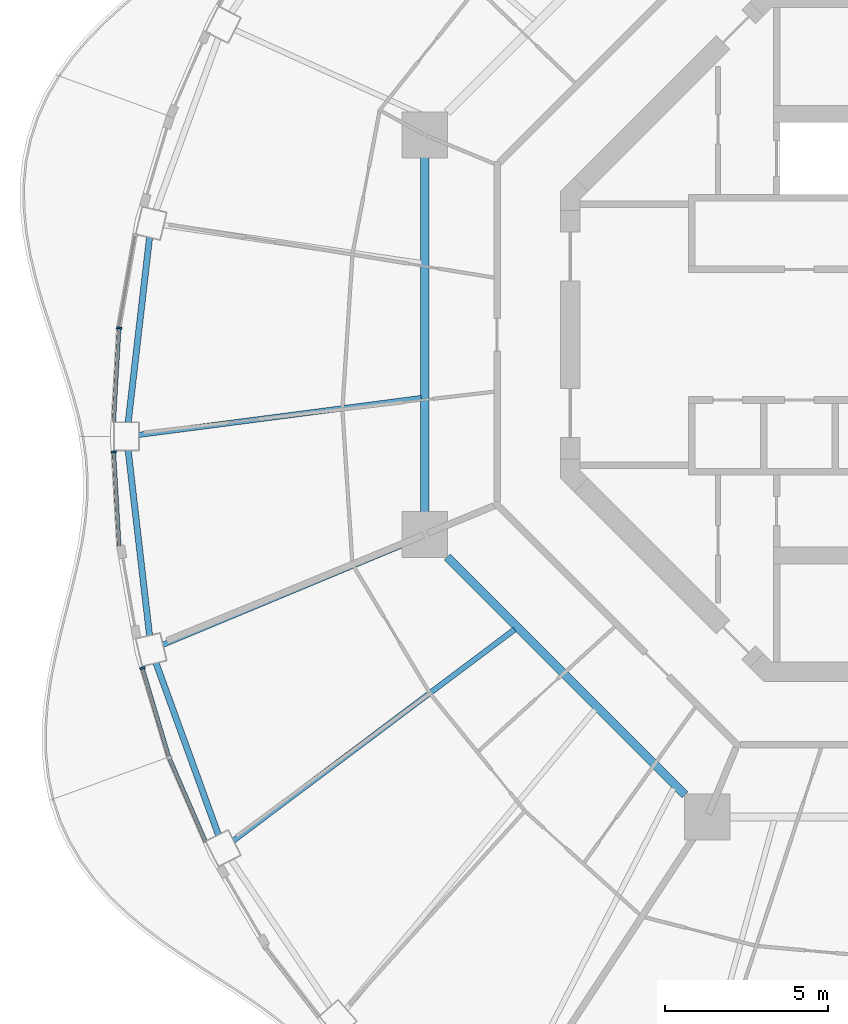
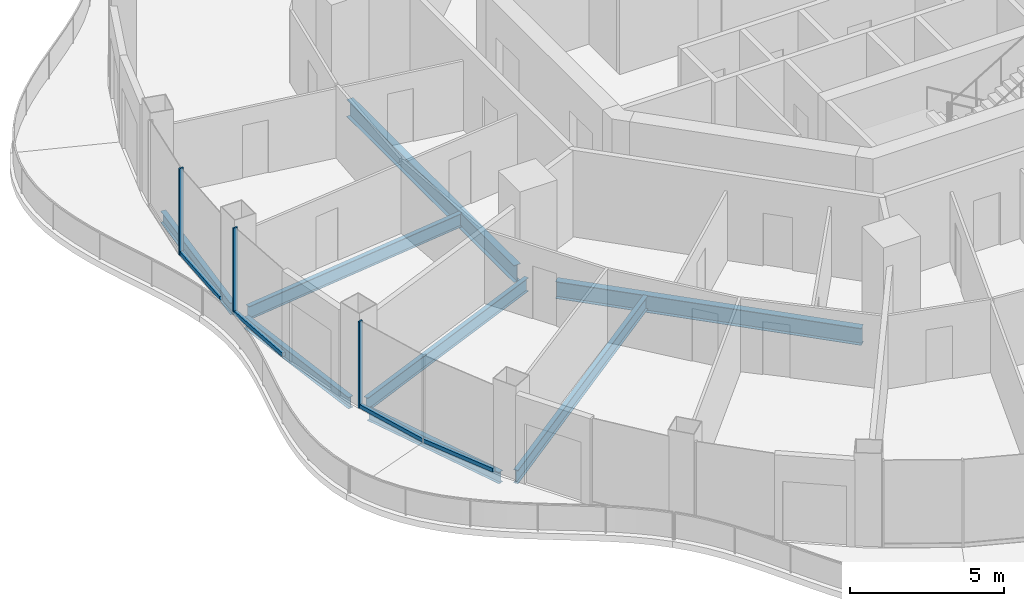
# One storey, part 3 of 17: 8 beams, 7 members, 4 elements without a shape of their own.
"""IFC4 building model written with IfcOpenShell, lengths in metres."""

from ifc_helpers import new_model, si_unit, direction, frame, origin, origin_2d, place, context, subcontext, project, spatial, rectangle, i_section, extrude, material, layer, layer_set, material_profile, profile_set, type_object, element, aggregate, save


model = new_model("IFC4")

# Units and contexts
model_context = context("Model", 3, precision=1e-05, world=origin(), true_north=direction((0.0, 1.0)))
body_context = subcontext(model_context, "Body", "Model", "MODEL_VIEW")
ifc_project = project(units=[si_unit("LENGTHUNIT", "METRE"), si_unit("AREAUNIT", "SQUARE_METRE"), si_unit("VOLUMEUNIT", "CUBIC_METRE"), si_unit("PLANEANGLEUNIT", "RADIAN"), si_unit("MASSUNIT", "GRAM", prefix="KILO")], contexts=[model_context])

# Site, building, storey
site_placement = place(None, origin())
site = spatial("IfcSite", under=ifc_project, at=site_placement, CompositionType="ELEMENT")
building_placement = place(site_placement, origin())
building = spatial("IfcBuilding", under=site, at=building_placement, Name="Nagisa Residences", CompositionType="ELEMENT")
storey_placement = place(building_placement, frame((0.0, 0.0, 288.10009765625)))
storey = spatial("IfcBuildingStorey", under=building, at=storey_placement, Name="L73", CompositionType="ELEMENT", Elevation=288.10009765625)

# Curtain wall, member
ifc_material_1 = material(Name="Concrete-coloured aluminium curtain wall system", Category="concrete")
ifc_layer = layer(ifc_material_1, 0.159912109375)
ifc_layer_set = layer_set([ifc_layer], Name="CW1 CURTAIN WALL")
curtain_wall_type = type_object("IfcCurtainWallType", Name="CW1 CURTAIN WALL", PredefinedType="NOTDEFINED", material=ifc_layer_set)
curtain_wall_1_placement = place(storey_placement, origin())
curtain_wall_1 = element("IfcCurtainWall", 1, at=curtain_wall_1_placement, inside=storey, type_object=curtain_wall_type, Name="cw:CW1:L73:23", PredefinedType="NOTDEFINED")
ifc_material_2 = material(Name="Concrete-coloured aluminium", Category="concrete")
ifc_material_profile_1 = material_profile(ifc_material_2, rectangle(XDim=0.159912109375, YDim=0.06005859375, at=origin_2d()), Name="CW1 MULLION 160x60")
ifc_profile_set_1 = profile_set([ifc_material_profile_1], Name="Concrete-coloured aluminium")
member_type_1 = type_object("IfcMemberType", Name="CW1 MULLION 160x60", PredefinedType="MULLION", material=ifc_profile_set_1)
member_1_placement = place(storey_placement, frame((-24.1484375, 0.20751953125, 0.0), z_axis=(0.0, 0.0, 1.0), x_axis=(0.998345305184, -0.057503492216, 0.0)))
member_1 = element("IfcMember", 2, at=member_1_placement, type_object=member_type_1, Name="CW1 mullion", PredefinedType="MULLION", context=body_context, shape_type="SweptSolid", body=[
    extrude(rectangle(XDim=0.159912109375, YDim=0.06005859375, at=origin_2d()), origin(), (0.0, 0.0, 1.0), 3.43994140625),
])

curtain_wall_2_placement = place(storey_placement, origin())
curtain_wall_2 = element("IfcCurtainWall", 3, at=curtain_wall_2_placement, inside=storey, type_object=curtain_wall_type, Name="cw:CW1:L73:24", PredefinedType="NOTDEFINED")
member_2_placement = place(storey_placement, frame((-24.3125, -3.59228515625, 0.0), z_axis=(0.0, 0.0, 1.0), x_axis=(0.998345305184, 0.057503492216, 0.0)))
member_2 = element("IfcMember", 4, at=member_2_placement, type_object=member_type_1, Name="CW1 mullion", PredefinedType="MULLION", context=body_context, shape_type="SweptSolid", body=[
    extrude(rectangle(XDim=0.159912109375, YDim=0.06005859375, at=origin_2d()), origin(), (0.0, 0.0, 1.0), 3.43994140625),
])

curtain_wall_3_placement = place(storey_placement, origin())
curtain_wall_3 = element("IfcCurtainWall", 5, at=curtain_wall_3_placement, inside=storey, type_object=curtain_wall_type, Name="cw:CW1:L73:26", PredefinedType="NOTDEFINED")
member_3_placement = place(storey_placement, frame((-23.435302734375, -10.216796875, 0.0), z_axis=(0.0, 0.0, 1.0), x_axis=(0.958271310082, 0.285860274038, 0.0)))
member_3 = element("IfcMember", 6, at=member_3_placement, type_object=member_type_1, Name="CW1 mullion", PredefinedType="MULLION", context=body_context, shape_type="SweptSolid", body=[
    extrude(rectangle(XDim=0.159912109375, YDim=0.06005859375, at=origin_2d()), origin(), (0.0, 0.0, 1.0), 3.43994140625),
])

# Member
ifc_material_3 = material(Name="Concrete-coloured aluminium", Category="concrete")
ifc_material_profile_2 = material_profile(ifc_material_3, rectangle(XDim=0.1201171875, YDim=0.14990234375, at=origin_2d()), Name="CW1 TRANSOM 120x150")
ifc_profile_set_2 = profile_set([ifc_material_profile_2], Name="Concrete-coloured aluminium")
member_type_2 = type_object("IfcMemberType", Name="CW1 TRANSOM 120x150", PredefinedType="USERDEFINED", material=ifc_profile_set_2)
member_4_placement = place(storey_placement, frame((-24.146728515625, 0.237548828125, 0.074951171875), z_axis=(-0.057445660401, -0.998348634547, 0.0), x_axis=(0.998348634547, -0.057445660401, 0.0)))
member_4 = element("IfcMember", 7, at=member_4_placement, type_object=member_type_2, Name="CW1 transom", ObjectType="TRANSOM", PredefinedType="USERDEFINED", context=body_context, shape_type="SweptSolid", body=[
    extrude(rectangle(XDim=0.1201171875, YDim=0.14990234375, at=origin_2d()), origin(), (0.0, 0.0, 1.0), 2.91552734375),
])

aggregate(curtain_wall_1, [member_1, member_4])

member_5_placement = place(storey_placement, frame((-24.314208984375, -3.562255859375, 0.074951171875), z_axis=(0.057445660401, -0.998348634547, 0.0), x_axis=(0.998348634547, 0.057445660401, 0.0)))
member_5 = element("IfcMember", 8, at=member_5_placement, type_object=member_type_2, Name="CW1 transom", ObjectType="TRANSOM", PredefinedType="USERDEFINED", context=body_context, shape_type="SweptSolid", body=[
    extrude(rectangle(XDim=0.1201171875, YDim=0.14990234375, at=origin_2d()), origin(), (0.0, 0.0, 1.0), 2.91552734375),
])

aggregate(curtain_wall_2, [member_2, member_5])

member_6_placement = place(storey_placement, frame((-23.44384765625, -10.18798828125, 0.074951171875), z_axis=(0.285798286059, -0.958289799427, 0.0), x_axis=(0.958289799427, 0.285798286059, 0.0)))
member_6 = element("IfcMember", 9, at=member_6_placement, type_object=member_type_2, Name="CW1 transom", ObjectType="TRANSOM", PredefinedType="USERDEFINED", context=body_context, shape_type="SweptSolid", body=[
    extrude(rectangle(XDim=0.1201171875, YDim=0.14990234375, at=origin_2d()), origin(), (0.0, 0.0, 1.0), 2.877197265625),
])

aggregate(curtain_wall_3, [member_3, member_6])

# Curtain wall, member
curtain_wall_4_placement = place(storey_placement, origin())
curtain_wall_4 = element("IfcCurtainWall", 10, at=curtain_wall_4_placement, inside=storey, type_object=curtain_wall_type, Name="cw:CW1:L73:27", PredefinedType="NOTDEFINED")
member_7_placement = place(storey_placement, frame((-22.624755859375, -12.93603515625, 0.074951171875), z_axis=(0.397597791596, -0.9175598052, 0.0), x_axis=(0.9175598052, 0.397597791596, 0.0)))
member_7 = element("IfcMember", 11, at=member_7_placement, type_object=member_type_2, Name="CW1 transom", ObjectType="TRANSOM", PredefinedType="USERDEFINED", context=body_context, shape_type="SweptSolid", body=[
    extrude(rectangle(XDim=0.1201171875, YDim=0.14990234375, at=origin_2d()), origin(), (0.0, 0.0, 1.0), 2.841064453125),
])
aggregate(curtain_wall_4, [member_7])

# Beams
ifc_material_4 = material(Name="Steel ASTM A572 Gr 50", Category="steel")
ifc_material_profile_3 = material_profile(ifc_material_4, i_section(OverallWidth=0.2529296875, OverallDepth=0.677978515625, WebThickness=0.01171875, FlangeThickness=0.016357421875, at=origin_2d()), Name="W690x125")
ifc_profile_set_3 = profile_set([ifc_material_profile_3], Name="Steel ASTM A572 Gr 50")
beam_type_1 = type_object("IfcBeamType", Name="Inner ring beam W690x125", PredefinedType="BEAM", material=ifc_profile_set_3)
beam_1_placement = place(storey_placement, frame((-14.781982421875, 5.44287109375, -0.59912109375), z_axis=(0.0, -1.0, 0.0), x_axis=(1.0, 0.0, 0.0)))
element("IfcBeam", 12, at=beam_1_placement, inside=storey, type_object=beam_type_1, Name="beam:L73:ib4", PredefinedType="BEAM", context=body_context, shape_type="SweptSolid", body=[
    extrude(i_section(OverallWidth=0.2529296875, OverallDepth=0.677978515625, WebThickness=0.01171875, FlangeThickness=0.016357421875, at=origin_2d()), origin(), (0.0, 0.0, 1.0), 10.8857421875),
])
beam_2_placement = place(storey_placement, frame((-14.09619140625, -6.808837890625, -0.59912109375), z_axis=(0.707106781187, -0.707106781187, 0.0), x_axis=(0.707106781187, 0.707106781187, 0.0)))
element("IfcBeam", 13, at=beam_2_placement, inside=storey, type_object=beam_type_1, Name="beam:L73:ib5", PredefinedType="BEAM", context=body_context, shape_type="SweptSolid", body=[
    extrude(i_section(OverallWidth=0.2529296875, OverallDepth=0.677978515625, WebThickness=0.01171875, FlangeThickness=0.016357421875, at=origin_2d()), origin(), (0.0, 0.0, 1.0), 10.305908203125),
])
ifc_material_5 = material(Name="Steel ASTM A572 Gr 50", Category="steel")
ifc_material_profile_4 = material_profile(ifc_material_5, i_section(OverallWidth=0.18994140625, OverallDepth=0.45703125, WebThickness=0.009033203125, FlangeThickness=0.014404296875, at=origin_2d()), Name="W460x74")
ifc_profile_set_4 = profile_set([ifc_material_profile_4], Name="Steel ASTM A572 Gr 50")
beam_type_2 = type_object("IfcBeamType", Name="Perimeter ring beam W460x74", PredefinedType="BEAM", material=ifc_profile_set_4)
for number, where, z_axis, x_axis, name in (
    (14, (-23.2158203125, 2.984619140625, -0.488525390625), (-0.114635468623, -0.993407624962, 0.0), (0.993407624962, -0.114635468623, 0.0), "beam:L73:pb12"),
    (15, (-23.870361328125, -3.5478515625, -0.488525390625), (0.114635468623, -0.993407624962, 0.0), (0.993407624962, 0.114635468623, 0.0), "beam:L73:pb13"),
):
    element("IfcBeam", number, at=place(storey_placement, frame(where, z_axis=z_axis, x_axis=x_axis)), inside=storey, type_object=beam_type_2, Name=name, PredefinedType="BEAM", context=body_context, shape_type="SweptSolid", body=[
        extrude(i_section(OverallWidth=0.18994140625, OverallDepth=0.45703125, WebThickness=0.009033203125, FlangeThickness=0.014404296875, at=origin_2d()), origin(), (0.0, 0.0, 1.0), 5.709716796875),
    ])
beam_3_placement = place(storey_placement, frame((-23.0185546875, -10.057373046875, -0.488525390625), z_axis=(0.341250304478, -0.9399724622, 0.0), x_axis=(0.9399724622, 0.341250304478, 0.0)))
element("IfcBeam", 16, at=beam_3_placement, inside=storey, type_object=beam_type_2, Name="beam:L73:pb14", PredefinedType="BEAM", context=body_context, shape_type="SweptSolid", body=[
    extrude(i_section(OverallWidth=0.18994140625, OverallDepth=0.45703125, WebThickness=0.009033203125, FlangeThickness=0.014404296875, at=origin_2d()), origin(), (0.0, 0.0, 1.0), 5.609619140625),
])
ifc_material_6 = material(Name="Steel ASTM A572 Gr 50", Category="steel")
ifc_material_profile_5 = material_profile(ifc_material_6, i_section(OverallWidth=0.166015625, OverallDepth=0.534912109375, WebThickness=0.01025390625, FlangeThickness=0.0166015625, at=origin_2d()), Name="W530x85")
ifc_profile_set_5 = profile_set([ifc_material_profile_5], Name="Steel ASTM A572 Gr 50")
beam_type_3 = type_object("IfcBeamType", Name="Radial beam W530x85", PredefinedType="BEAM", material=ifc_profile_set_5)
beam_4_placement = place(storey_placement, frame((-23.539794921875, -3.068115234375, -0.527587890625), z_axis=(0.991614605292, 0.129230315994, 0.0), x_axis=(-0.129230315994, 0.991614605292, 0.0)))
element("IfcBeam", 17, at=beam_4_placement, inside=storey, type_object=beam_type_3, Name="beam:L73:rb13", PredefinedType="BEAM", context=body_context, shape_type="SweptSolid", body=[
    extrude(i_section(OverallWidth=0.166015625, OverallDepth=0.534912109375, WebThickness=0.01025390625, FlangeThickness=0.0166015625, at=origin_2d()), origin(), (0.0, 0.0, 1.0), 8.724365234375),
])
beam_5_placement = place(storey_placement, frame((-22.810546875, -9.502197265625, -0.527587890625), z_axis=(0.92310713136, 0.384542876716, 0.0), x_axis=(-0.384542876716, 0.92310713136, 0.0)))
element("IfcBeam", 18, at=beam_5_placement, inside=storey, type_object=beam_type_3, Name="beam:L73:rb14", PredefinedType="BEAM", context=body_context, shape_type="SweptSolid", body=[
    extrude(i_section(OverallWidth=0.166015625, OverallDepth=0.534912109375, WebThickness=0.01025390625, FlangeThickness=0.0166015625, at=origin_2d()), origin(), (0.0, 0.0, 1.0), 8.607177734375),
])
beam_6_placement = place(storey_placement, frame((-20.647705078125, -15.505859375, -0.527587890625), z_axis=(0.799616749037, 0.600510661571, 0.0), x_axis=(-0.600510661571, 0.799616749037, 0.0)))
element("IfcBeam", 19, at=beam_6_placement, inside=storey, type_object=beam_type_3, Name="beam:L73:rb15", PredefinedType="BEAM", context=body_context, shape_type="SweptSolid", body=[
    extrude(i_section(OverallWidth=0.166015625, OverallDepth=0.534912109375, WebThickness=0.01025390625, FlangeThickness=0.0166015625, at=origin_2d()), origin(), (0.0, 0.0, 1.0), 10.782958984375),
])

save(model, "model.ifc")
